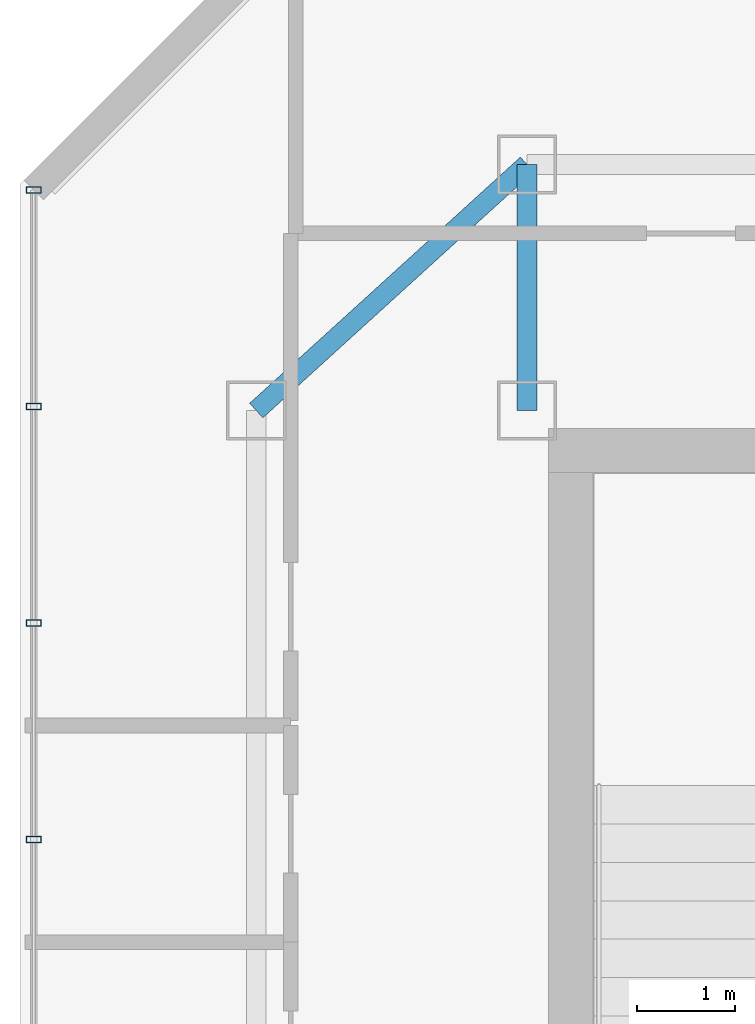
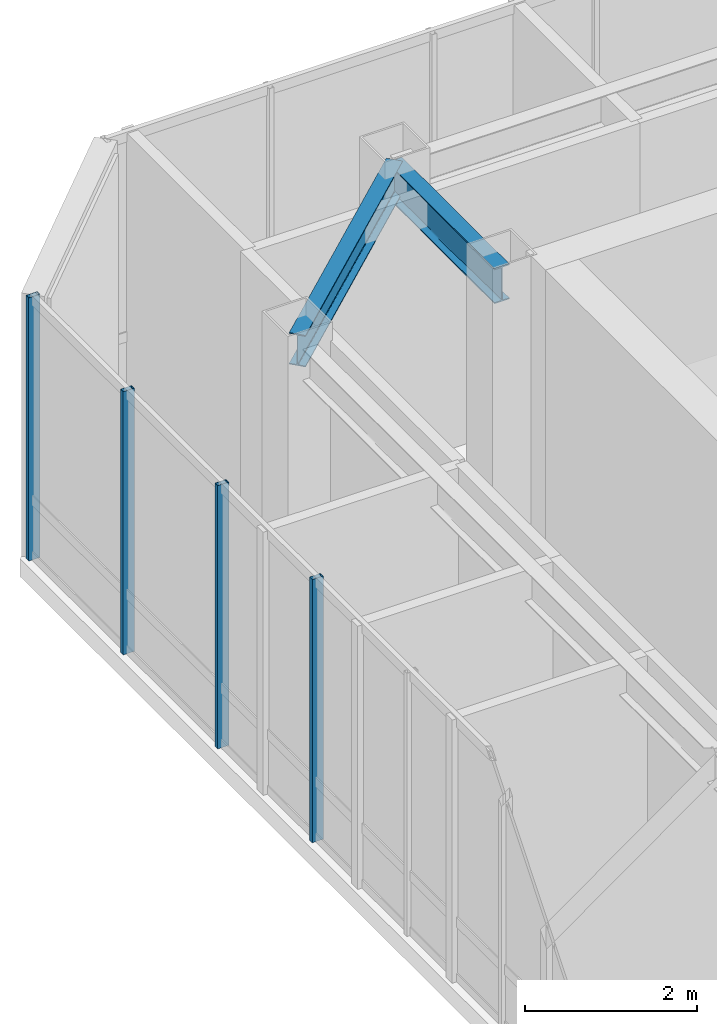
# One storey, part 15 of 29: 4 members, 2 beams, 1 element without a shape of its own.
"""IFC4 building model written with IfcOpenShell, lengths in metres."""

from ifc_helpers import new_model, si_unit, direction, frame, origin, origin_2d, place, context, subcontext, project, spatial, hollow_rectangle, i_section, extrude, material, layer, layer_set, material_profile, profile_set, type_object, element, aggregate, save


model = new_model("IFC4")

# Units and contexts
model_context = context("Model", 3, precision=1e-05, world=origin(), true_north=direction((0.0, 1.0)))
body_context = subcontext(model_context, "Body", "Model", "MODEL_VIEW")
ifc_project = project(units=[si_unit("LENGTHUNIT", "METRE"), si_unit("AREAUNIT", "SQUARE_METRE"), si_unit("VOLUMEUNIT", "CUBIC_METRE"), si_unit("PLANEANGLEUNIT", "RADIAN"), si_unit("MASSUNIT", "GRAM", prefix="KILO")], contexts=[model_context])

# Site, building, storey
site_placement = place(None, origin())
site = spatial("IfcSite", under=ifc_project, at=site_placement, CompositionType="ELEMENT")
building_placement = place(site_placement, origin())
building = spatial("IfcBuilding", under=site, at=building_placement, Name="Hatsunagi Terrace Concourse", CompositionType="ELEMENT")
storey_placement = place(building_placement, frame((0.0, 0.0, 277.949951171875)))
storey = spatial("IfcBuildingStorey", under=building, at=storey_placement, Name="L73", CompositionType="ELEMENT", Elevation=277.949951171875)

# Beam
ifc_material_1 = material(Name="Steel SN490B", Category="steel")
ifc_material_profile_1 = material_profile(ifc_material_1, i_section(OverallWidth=0.199951171875, OverallDepth=0.5, WebThickness=0.010009765625, FlangeThickness=0.01611328125, FilletRadius=0.01611328125, at=origin_2d()), Name="H-500x200x10x16")
ifc_profile_set_1 = profile_set([ifc_material_profile_1], Name="Steel SN490B")
beam_type_1 = type_object("IfcBeamType", Name="CrownFloorGirder_H_500x200", PredefinedType="BEAM", material=ifc_profile_set_1)
beam_1_placement = place(storey_placement, frame((25.550048828125, 43.300048828125, 3.5), z_axis=(0.0, 1.0, 0.0), x_axis=(-1.0, 0.0, 0.0)))
element("IfcBeam", 1, at=beam_1_placement, inside=storey, type_object=beam_type_1, Name="Beam G-07 BM-L73-CN1", PredefinedType="BEAM", context=body_context, shape_type="SweptSolid", body=[
    extrude(i_section(OverallWidth=0.199951171875, OverallDepth=0.5, WebThickness=0.010009765625, FlangeThickness=0.01611328125, FilletRadius=0.01611328125, at=origin_2d()), origin(), (0.0, 0.0, 1.0), 2.5),
])

# Curtain wall, members
ifc_material_2 = material(Name="Anodised Aluminium Alloy 6063-T5", Category="aluminium")
ifc_layer = layer(ifc_material_2, 0.199951171875)
ifc_layer_set = layer_set([ifc_layer], Name="CrownWintergarden_CW06")
curtain_wall_type = type_object("IfcCurtainWallType", Name="CrownWintergarden_CW06", PredefinedType="NOTDEFINED", material=ifc_layer_set)
curtain_wall_placement = place(storey_placement, origin())
curtain_wall = element("IfcCurtainWall", 2, at=curtain_wall_placement, inside=storey, type_object=curtain_wall_type, Name="Unitised Curtain Wall CW-06 CW-L73-07", PredefinedType="NOTDEFINED")
ifc_material_3 = material(Name="Anodised Aluminium Alloy 6063-T5", Category="aluminium")
ifc_material_profile_2 = material_profile(ifc_material_3, hollow_rectangle(XDim=0.06494140625, YDim=0.14990234375, WallThickness=0.00390625, at=origin_2d()), Name="ALU-MUL-150x65x4")
ifc_profile_set_2 = profile_set([ifc_material_profile_2], Name="Anodised Aluminium Alloy 6063-T5")
member_type = type_object("IfcMemberType", Name="CurtainWallMullion_Crown_150x65", PredefinedType="MULLION", material=ifc_profile_set_2)
member_1_placement = place(storey_placement, frame((20.5400390625, 38.94091796875, 0.0), z_axis=(0.0, 0.0, 1.0), x_axis=(0.0, 1.0, 0.0)))
member_1 = element("IfcMember", 3, at=member_1_placement, type_object=member_type, Name="Curtain Wall Mullion MUL-03", PredefinedType="MULLION", context=body_context, shape_type="SweptSolid", body=[
    extrude(hollow_rectangle(XDim=0.06494140625, YDim=0.14990234375, WallThickness=0.00390625, at=origin_2d()), origin(), (0.0, 0.0, 1.0), 3.739990234375),
])
member_2_placement = place(storey_placement, frame((20.5400390625, 41.14208984375, 0.0), z_axis=(0.0, 0.0, 1.0), x_axis=(0.0, 1.0, 0.0)))
member_2 = element("IfcMember", 4, at=member_2_placement, type_object=member_type, Name="Curtain Wall Mullion MUL-03", PredefinedType="MULLION", context=body_context, shape_type="SweptSolid", body=[
    extrude(hollow_rectangle(XDim=0.06494140625, YDim=0.14990234375, WallThickness=0.00390625, at=origin_2d()), origin(), (0.0, 0.0, 1.0), 3.739990234375),
])
member_3_placement = place(storey_placement, frame((20.5400390625, 43.342041015625, 0.0), z_axis=(0.0, 0.0, 1.0), x_axis=(0.0, 1.0, 0.0)))
member_3 = element("IfcMember", 5, at=member_3_placement, type_object=member_type, Name="Curtain Wall Mullion MUL-03", PredefinedType="MULLION", context=body_context, shape_type="SweptSolid", body=[
    extrude(hollow_rectangle(XDim=0.06494140625, YDim=0.14990234375, WallThickness=0.00390625, at=origin_2d()), origin(), (0.0, 0.0, 1.0), 3.739990234375),
])
member_4_placement = place(storey_placement, frame((20.5400390625, 45.5419921875, 0.0), z_axis=(0.0, 0.0, 1.0), x_axis=(0.0, 1.0, 0.0)))
member_4 = element("IfcMember", 6, at=member_4_placement, type_object=member_type, Name="Curtain Wall Mullion MUL-03", PredefinedType="MULLION", context=body_context, shape_type="SweptSolid", body=[
    extrude(hollow_rectangle(XDim=0.06494140625, YDim=0.14990234375, WallThickness=0.00390625, at=origin_2d()), origin(), (0.0, 0.0, 1.0), 3.739990234375),
])
aggregate(curtain_wall, [member_1, member_2, member_3, member_4])

# Beam
ifc_material_4 = material(Name="Steel SN490B", Category="steel")
ifc_material_profile_3 = material_profile(ifc_material_4, i_section(OverallWidth=0.199951171875, OverallDepth=0.449951171875, WebThickness=0.009033203125, FlangeThickness=0.013916015625, FilletRadius=0.01611328125, at=origin_2d()), Name="H-450x200x9x14")
ifc_profile_set_3 = profile_set([ifc_material_profile_3], Name="Steel SN490B")
beam_type_2 = type_object("IfcBeamType", Name="PerimeterSpandrel_H_450x200", PredefinedType="SPANDREL", material=ifc_profile_set_3)
beam_2_placement = place(storey_placement, frame((22.800048828125, 43.300048828125, 3.525146484375), z_axis=(0.739940073396, 0.672672793996, 0.0), x_axis=(-0.672672793996, 0.739940073396, 0.0)))
element("IfcBeam", 7, at=beam_2_placement, inside=storey, type_object=beam_type_2, Name="Beam SP-02 BM-L73-CWEW-N", PredefinedType="SPANDREL", context=body_context, shape_type="SweptSolid", body=[
    extrude(i_section(OverallWidth=0.199951171875, OverallDepth=0.449951171875, WebThickness=0.009033203125, FlangeThickness=0.013916015625, FilletRadius=0.01611328125, at=origin_2d()), origin(), (0.0, 0.0, 1.0), 3.716552734375),
])

save(model, "model.ifc")
